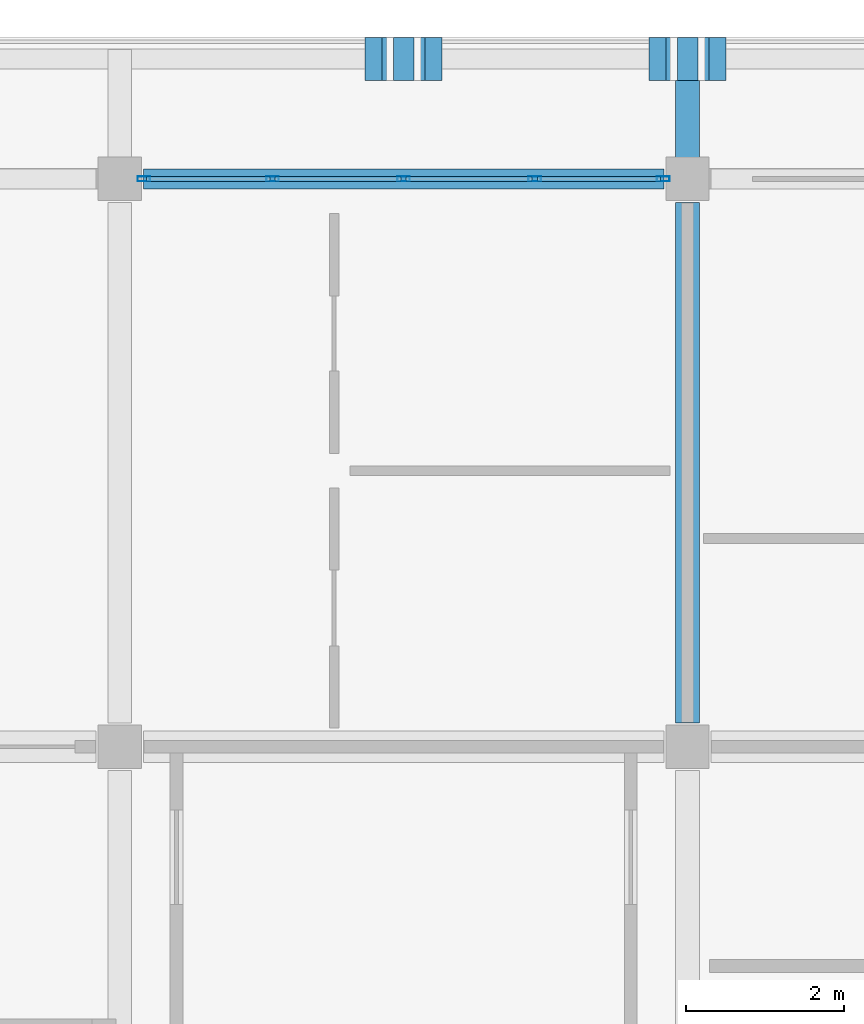
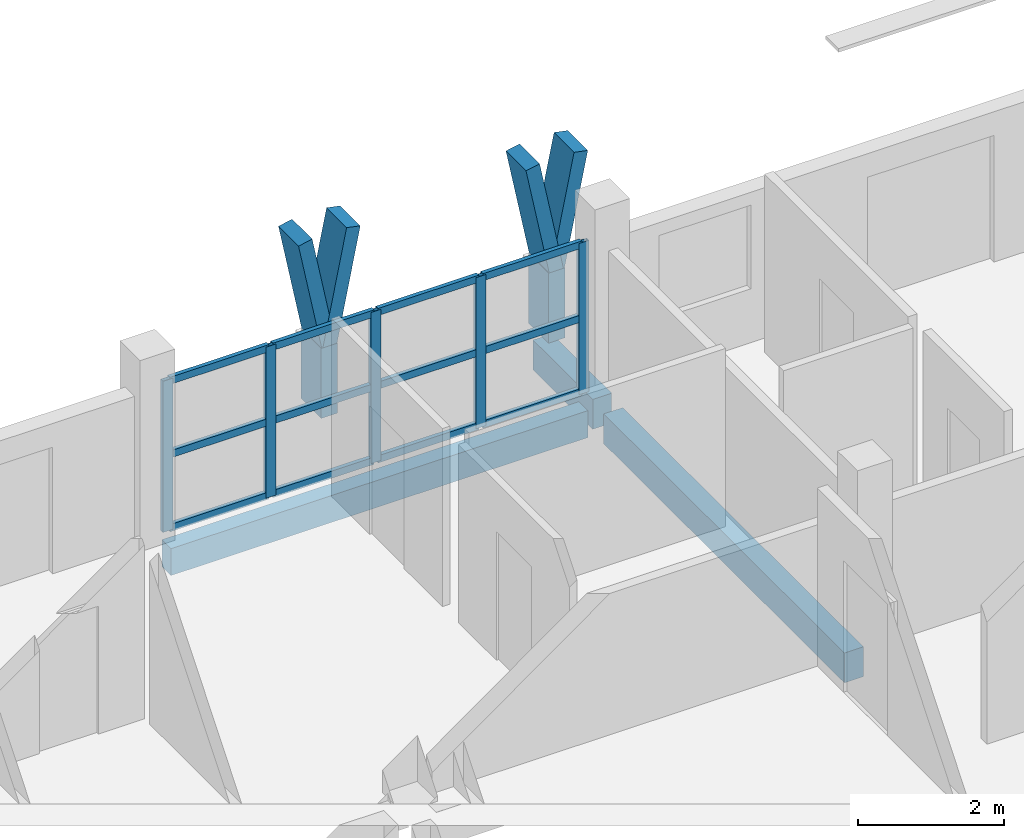
# One storey, part 25 of 73: 23 members, 3 beams, 1 element without a shape of its own.
"""IFC4 building model written with IfcOpenShell, lengths in metres."""

from ifc_helpers import new_model, si_unit, direction, frame, origin, origin_2d, place, context, subcontext, project, spatial, rectangle, hollow_rectangle, extrude, material, material_profile, profile_set, type_object, element, aggregate, save


model = new_model("IFC4")

# Units and contexts
model_context = context("Model", 3, precision=1e-05, world=origin(), true_north=direction((0.0, 1.0)))
body_context = subcontext(model_context, "Body", "Model", "MODEL_VIEW")
ifc_project = project(units=[si_unit("LENGTHUNIT", "METRE"), si_unit("AREAUNIT", "SQUARE_METRE"), si_unit("VOLUMEUNIT", "CUBIC_METRE"), si_unit("PLANEANGLEUNIT", "RADIAN"), si_unit("MASSUNIT", "GRAM", prefix="KILO")], contexts=[model_context])

# Site, building, storey
site_placement = place(None, origin())
site = spatial("IfcSite", under=ifc_project, at=site_placement, CompositionType="ELEMENT")
building_placement = place(site_placement, origin())
building = spatial("IfcBuilding", under=site, at=building_placement, Name="Suanplinth Sawtooth Commons", CompositionType="ELEMENT")
storey_placement = place(building_placement, frame((0.0, 0.0, 21.89990234375)))
storey = spatial("IfcBuildingStorey", under=building, at=storey_placement, Name="L06", CompositionType="ELEMENT", Elevation=21.89990234375)

# Beams
ifc_material_1 = material(Name="Precast concrete C40/50", Category="concrete")
ifc_material_profile_1 = material_profile(ifc_material_1, rectangle(XDim=0.300048828125, YDim=0.5, at=origin_2d()), Name="PC-BM 300x500")
ifc_profile_set_1 = profile_set([ifc_material_profile_1], Name="Precast concrete C40/50")
beam_type_1 = type_object("IfcBeamType", Name="B-07", PredefinedType="BEAM", material=ifc_profile_set_1)
beam_1_placement = place(storey_placement, frame((151.199951171875, 115.5, -0.489990234375), z_axis=(0.0, 1.0, 0.0), x_axis=(-1.0, 0.0, 0.0)))
element("IfcBeam", 1, at=beam_1_placement, inside=storey, type_object=beam_type_1, Name="BMY-L06-B-21-16", PredefinedType="BEAM", context=body_context, shape_type="SweptSolid", body=[
    extrude(rectangle(XDim=0.300048828125, YDim=0.5, at=origin_2d()), origin(), (0.0, 0.0, 1.0), 6.60009765625),
])
beam_2_placement = place(storey_placement, frame((151.199951171875, 122.39990234375, -0.429931640625), z_axis=(0.0, 1.0, 0.0), x_axis=(-1.0, 0.0, 0.0)))
element("IfcBeam", 2, at=beam_2_placement, inside=storey, type_object=beam_type_1, Name="Balcony Outrigger L06-B-N-21", PredefinedType="BEAM", context=body_context, shape_type="SweptSolid", body=[
    extrude(rectangle(XDim=0.300048828125, YDim=0.5, at=origin_2d()), origin(), (0.0, 0.0, 1.0), 1.64013671875),
])
ifc_material_profile_2 = material_profile(ifc_material_1, rectangle(XDim=0.25, YDim=0.449951171875, at=origin_2d()), Name="PC-SP 250x450")
ifc_profile_set_2 = profile_set([ifc_material_profile_2], Name="Precast concrete C40/50")
beam_type_2 = type_object("IfcBeamType", Name="B-09", PredefinedType="SPANDREL", material=ifc_profile_set_2)
beam_3_placement = place(storey_placement, frame((144.300048828125, 122.39990234375, -0.46484375), z_axis=(1.0, 0.0, 0.0), x_axis=(0.0, 1.0, 0.0)))
element("IfcBeam", 3, at=beam_3_placement, inside=storey, type_object=beam_type_2, Name="BMX-L06-B-20-17", PredefinedType="SPANDREL", context=body_context, shape_type="SweptSolid", body=[
    extrude(rectangle(XDim=0.25, YDim=0.449951171875, at=origin_2d()), origin(), (0.0, 0.0, 1.0), 6.599853515625),
])

# Members
ifc_material_2 = material(Name="Pigmented precast concrete C40/50", Category="concrete")
ifc_material_profile_3 = material_profile(ifc_material_2, rectangle(XDim=0.260009765625, YDim=0.550048828125, at=origin_2d()), Name="PC-FIN 260x550")
ifc_profile_set_3 = profile_set([ifc_material_profile_3], Name="Pigmented precast concrete C40/50")
member_type_1 = type_object("IfcMemberType", Name="M-09", PredefinedType="USERDEFINED", material=ifc_profile_set_3)
for number, where, z_axis, x_axis, name in (
    (4, (147.60009765625, 123.919921875, 0.0), (0.0, 0.0, 1.0), (1.0, 0.0, 0.0), "Y-Blade Stem L06-B-N-02"),
    (5, (151.199951171875, 123.919921875, 0.0), (0.0, 0.0, 1.0), (1.0, 0.0, 0.0), "Y-Blade Stem L06-B-N-03"),
):
    element("IfcMember", number, at=place(storey_placement, frame(where, z_axis=z_axis, x_axis=x_axis)), inside=storey, type_object=member_type_1, Name=name, ObjectType="SHADING FIN", PredefinedType="USERDEFINED", context=body_context, shape_type="SweptSolid", body=[
        extrude(rectangle(XDim=0.260009765625, YDim=0.550048828125, at=origin_2d()), origin(), (0.0, 0.0, 1.0), 1.170166015625),
    ])
ifc_material_profile_4 = material_profile(ifc_material_2, rectangle(XDim=0.219970703125, YDim=0.550048828125, at=origin_2d()), Name="PC-FIN 220x550")
ifc_profile_set_4 = profile_set([ifc_material_profile_4], Name="Pigmented precast concrete C40/50")
member_type_2 = type_object("IfcMemberType", Name="M-10", PredefinedType="USERDEFINED", material=ifc_profile_set_4)
member_1_placement = place(storey_placement, frame((147.60009765625, 123.919921875, 1.130126953125), z_axis=(-0.196431120402, 0.0, 0.980517626021), x_axis=(0.980517626021, 0.0, 0.196431120402)))
element("IfcMember", 6, at=member_1_placement, inside=storey, type_object=member_type_2, Name="Y-Blade Arm L L06-B-N-02", ObjectType="SHADING FIN", PredefinedType="USERDEFINED", context=body_context, shape_type="SweptSolid", body=[
    extrude(rectangle(XDim=0.219970703125, YDim=0.550048828125, at=origin_2d()), origin(), (0.0, 0.0, 1.0), 1.937744140625),
])
for number, where, z_axis, x_axis, name in (
    (7, (147.60009765625, 123.919921875, 1.130126953125), (0.196309979414, 0.0, 0.980541886909), (-0.980541886909, 0.0, 0.196309979414), "Y-Blade Arm R L06-B-N-02"),
    (8, (151.199951171875, 123.919921875, 1.130126953125), (-0.196309979414, 0.0, 0.980541886909), (0.980541886909, 0.0, 0.196309979414), "Y-Blade Arm L L06-B-N-03"),
):
    element("IfcMember", number, at=place(storey_placement, frame(where, z_axis=z_axis, x_axis=x_axis)), inside=storey, type_object=member_type_2, Name=name, ObjectType="SHADING FIN", PredefinedType="USERDEFINED", context=body_context, shape_type="SweptSolid", body=[
        extrude(rectangle(XDim=0.219970703125, YDim=0.550048828125, at=origin_2d()), origin(), (0.0, 0.0, 1.0), 1.9375),
    ])
member_2_placement = place(storey_placement, frame((151.199951171875, 123.919921875, 1.130126953125), z_axis=(0.196431120402, 0.0, 0.980517626021), x_axis=(-0.980517626021, 0.0, 0.196431120402)))
element("IfcMember", 9, at=member_2_placement, inside=storey, type_object=member_type_2, Name="Y-Blade Arm R L06-B-N-03", ObjectType="SHADING FIN", PredefinedType="USERDEFINED", context=body_context, shape_type="SweptSolid", body=[
    extrude(rectangle(XDim=0.219970703125, YDim=0.550048828125, at=origin_2d()), origin(), (0.0, 0.0, 1.0), 1.937744140625),
])

# Curtain wall, members
ifc_material_3 = material(Name="Anodized aluminium and low-E glazing", Category="aluminium")
curtain_wall_type = type_object("IfcCurtainWallType", Name="CW-06", PredefinedType="USERDEFINED", material=ifc_material_3)
curtain_wall_placement = place(storey_placement, origin())
curtain_wall = element("IfcCurtainWall", 10, at=curtain_wall_placement, inside=storey, type_object=curtain_wall_type, Name="Curtain Wall CW-L06-B-LOUNGE-20", ObjectType="CURTAIN WALL", PredefinedType="USERDEFINED")
ifc_material_4 = material(Name="Anodized aluminium 6063-T6", Category="aluminium")
ifc_material_profile_5 = material_profile(ifc_material_4, hollow_rectangle(XDim=0.06494140625, YDim=0.159912109375, WallThickness=0.00390625, at=origin_2d()), Name="ALU-MUL 65x160")
ifc_profile_set_5 = profile_set([ifc_material_profile_5], Name="Anodized aluminium 6063-T6")
member_type_3 = type_object("IfcMemberType", Name="M-13", PredefinedType="MULLION", material=ifc_profile_set_5)
member_3_placement = place(storey_placement, frame((144.3076171875, 122.39990234375, 0.0), z_axis=(0.0, 0.0, 1.0), x_axis=(0.0, 1.0, 0.0)))
member_3 = element("IfcMember", 11, at=member_3_placement, type_object=member_type_3, Name="CW-06 mullion 1", PredefinedType="MULLION", context=body_context, shape_type="SweptSolid", body=[
    extrude(hollow_rectangle(XDim=0.06494140625, YDim=0.159912109375, WallThickness=0.00390625, at=origin_2d()), origin(), (0.0, 0.0, 1.0), 2.530029296875),
])
member_4_placement = place(storey_placement, frame((145.9375, 122.39990234375, 0.0), z_axis=(0.0, 0.0, 1.0), x_axis=(0.0, 1.0, 0.0)))
member_4 = element("IfcMember", 12, at=member_4_placement, type_object=member_type_3, Name="CW-06 mullion 2", PredefinedType="MULLION", context=body_context, shape_type="SweptSolid", body=[
    extrude(hollow_rectangle(XDim=0.06494140625, YDim=0.159912109375, WallThickness=0.00390625, at=origin_2d()), origin(), (0.0, 0.0, 1.0), 2.530029296875),
])
member_5_placement = place(storey_placement, frame((147.60009765625, 122.39990234375, 0.0), z_axis=(0.0, 0.0, 1.0), x_axis=(0.0, 1.0, 0.0)))
member_5 = element("IfcMember", 13, at=member_5_placement, type_object=member_type_3, Name="CW-06 mullion 3", PredefinedType="MULLION", context=body_context, shape_type="SweptSolid", body=[
    extrude(hollow_rectangle(XDim=0.06494140625, YDim=0.159912109375, WallThickness=0.00390625, at=origin_2d()), origin(), (0.0, 0.0, 1.0), 2.530029296875),
])
member_6_placement = place(storey_placement, frame((149.262451171875, 122.39990234375, 0.0), z_axis=(0.0, 0.0, 1.0), x_axis=(0.0, 1.0, 0.0)))
member_6 = element("IfcMember", 14, at=member_6_placement, type_object=member_type_3, Name="CW-06 mullion 4", PredefinedType="MULLION", context=body_context, shape_type="SweptSolid", body=[
    extrude(hollow_rectangle(XDim=0.06494140625, YDim=0.159912109375, WallThickness=0.00390625, at=origin_2d()), origin(), (0.0, 0.0, 1.0), 2.530029296875),
])
member_7_placement = place(storey_placement, frame((150.892578125, 122.39990234375, 0.0), z_axis=(0.0, 0.0, 1.0), x_axis=(0.0, 1.0, 0.0)))
member_7 = element("IfcMember", 15, at=member_7_placement, type_object=member_type_3, Name="CW-06 mullion 5", PredefinedType="MULLION", context=body_context, shape_type="SweptSolid", body=[
    extrude(hollow_rectangle(XDim=0.06494140625, YDim=0.159912109375, WallThickness=0.00390625, at=origin_2d()), origin(), (0.0, 0.0, 1.0), 2.530029296875),
])
ifc_material_profile_6 = material_profile(ifc_material_4, hollow_rectangle(XDim=0.06494140625, YDim=0.1201171875, WallThickness=0.00390625, at=origin_2d()), Name="ALU-TRN 65x120")
ifc_profile_set_6 = profile_set([ifc_material_profile_6], Name="Anodized aluminium 6063-T6")
member_type_4 = type_object("IfcMemberType", Name="M-15", PredefinedType="USERDEFINED", material=ifc_profile_set_6)
member_8_placement = place(storey_placement, frame((144.340087890625, 122.39990234375, 0.03271484375), z_axis=(1.0, 0.0, 0.0), x_axis=(0.0, 1.0, 0.0)))
member_8 = element("IfcMember", 16, at=member_8_placement, type_object=member_type_4, Name="CW-06 transom 1.1", ObjectType="TRANSOM", PredefinedType="USERDEFINED", context=body_context, shape_type="SweptSolid", body=[
    extrude(hollow_rectangle(XDim=0.06494140625, YDim=0.1201171875, WallThickness=0.00390625, at=origin_2d()), origin(), (0.0, 0.0, 1.0), 1.56494140625),
])
member_9_placement = place(storey_placement, frame((144.340087890625, 122.39990234375, 1.26513671875), z_axis=(1.0, 0.0, 0.0), x_axis=(0.0, 1.0, 0.0)))
member_9 = element("IfcMember", 17, at=member_9_placement, type_object=member_type_4, Name="CW-06 transom 1.2", ObjectType="TRANSOM", PredefinedType="USERDEFINED", context=body_context, shape_type="SweptSolid", body=[
    extrude(hollow_rectangle(XDim=0.06494140625, YDim=0.1201171875, WallThickness=0.00390625, at=origin_2d()), origin(), (0.0, 0.0, 1.0), 1.56494140625),
])
member_10_placement = place(storey_placement, frame((144.340087890625, 122.39990234375, 2.49755859375), z_axis=(1.0, 0.0, 0.0), x_axis=(0.0, 1.0, 0.0)))
member_10 = element("IfcMember", 18, at=member_10_placement, type_object=member_type_4, Name="CW-06 transom 1.3", ObjectType="TRANSOM", PredefinedType="USERDEFINED", context=body_context, shape_type="SweptSolid", body=[
    extrude(hollow_rectangle(XDim=0.06494140625, YDim=0.1201171875, WallThickness=0.00390625, at=origin_2d()), origin(), (0.0, 0.0, 1.0), 1.56494140625),
])
member_11_placement = place(storey_placement, frame((145.969970703125, 122.39990234375, 0.03271484375), z_axis=(1.0, 0.0, 0.0), x_axis=(0.0, 1.0, 0.0)))
member_11 = element("IfcMember", 19, at=member_11_placement, type_object=member_type_4, Name="CW-06 transom 2.1", ObjectType="TRANSOM", PredefinedType="USERDEFINED", context=body_context, shape_type="SweptSolid", body=[
    extrude(hollow_rectangle(XDim=0.06494140625, YDim=0.1201171875, WallThickness=0.00390625, at=origin_2d()), origin(), (0.0, 0.0, 1.0), 1.597412109375),
])
member_12_placement = place(storey_placement, frame((145.969970703125, 122.39990234375, 1.26513671875), z_axis=(1.0, 0.0, 0.0), x_axis=(0.0, 1.0, 0.0)))
member_12 = element("IfcMember", 20, at=member_12_placement, type_object=member_type_4, Name="CW-06 transom 2.2", ObjectType="TRANSOM", PredefinedType="USERDEFINED", context=body_context, shape_type="SweptSolid", body=[
    extrude(hollow_rectangle(XDim=0.06494140625, YDim=0.1201171875, WallThickness=0.00390625, at=origin_2d()), origin(), (0.0, 0.0, 1.0), 1.597412109375),
])
member_13_placement = place(storey_placement, frame((145.969970703125, 122.39990234375, 2.49755859375), z_axis=(1.0, 0.0, 0.0), x_axis=(0.0, 1.0, 0.0)))
member_13 = element("IfcMember", 21, at=member_13_placement, type_object=member_type_4, Name="CW-06 transom 2.3", ObjectType="TRANSOM", PredefinedType="USERDEFINED", context=body_context, shape_type="SweptSolid", body=[
    extrude(hollow_rectangle(XDim=0.06494140625, YDim=0.1201171875, WallThickness=0.00390625, at=origin_2d()), origin(), (0.0, 0.0, 1.0), 1.597412109375),
])
member_14_placement = place(storey_placement, frame((147.632568359375, 122.39990234375, 0.03271484375), z_axis=(1.0, 0.0, 0.0), x_axis=(0.0, 1.0, 0.0)))
member_14 = element("IfcMember", 22, at=member_14_placement, type_object=member_type_4, Name="CW-06 transom 3.1", ObjectType="TRANSOM", PredefinedType="USERDEFINED", context=body_context, shape_type="SweptSolid", body=[
    extrude(hollow_rectangle(XDim=0.06494140625, YDim=0.1201171875, WallThickness=0.00390625, at=origin_2d()), origin(), (0.0, 0.0, 1.0), 1.597412109375),
])
member_15_placement = place(storey_placement, frame((147.632568359375, 122.39990234375, 1.26513671875), z_axis=(1.0, 0.0, 0.0), x_axis=(0.0, 1.0, 0.0)))
member_15 = element("IfcMember", 23, at=member_15_placement, type_object=member_type_4, Name="CW-06 transom 3.2", ObjectType="TRANSOM", PredefinedType="USERDEFINED", context=body_context, shape_type="SweptSolid", body=[
    extrude(hollow_rectangle(XDim=0.06494140625, YDim=0.1201171875, WallThickness=0.00390625, at=origin_2d()), origin(), (0.0, 0.0, 1.0), 1.597412109375),
])
member_16_placement = place(storey_placement, frame((147.632568359375, 122.39990234375, 2.49755859375), z_axis=(1.0, 0.0, 0.0), x_axis=(0.0, 1.0, 0.0)))
member_16 = element("IfcMember", 24, at=member_16_placement, type_object=member_type_4, Name="CW-06 transom 3.3", ObjectType="TRANSOM", PredefinedType="USERDEFINED", context=body_context, shape_type="SweptSolid", body=[
    extrude(hollow_rectangle(XDim=0.06494140625, YDim=0.1201171875, WallThickness=0.00390625, at=origin_2d()), origin(), (0.0, 0.0, 1.0), 1.597412109375),
])
member_17_placement = place(storey_placement, frame((149.294921875, 122.39990234375, 0.03271484375), z_axis=(1.0, 0.0, 0.0), x_axis=(0.0, 1.0, 0.0)))
member_17 = element("IfcMember", 25, at=member_17_placement, type_object=member_type_4, Name="CW-06 transom 4.1", ObjectType="TRANSOM", PredefinedType="USERDEFINED", context=body_context, shape_type="SweptSolid", body=[
    extrude(hollow_rectangle(XDim=0.06494140625, YDim=0.1201171875, WallThickness=0.00390625, at=origin_2d()), origin(), (0.0, 0.0, 1.0), 1.565185546875),
])
member_18_placement = place(storey_placement, frame((149.294921875, 122.39990234375, 1.26513671875), z_axis=(1.0, 0.0, 0.0), x_axis=(0.0, 1.0, 0.0)))
member_18 = element("IfcMember", 26, at=member_18_placement, type_object=member_type_4, Name="CW-06 transom 4.2", ObjectType="TRANSOM", PredefinedType="USERDEFINED", context=body_context, shape_type="SweptSolid", body=[
    extrude(hollow_rectangle(XDim=0.06494140625, YDim=0.1201171875, WallThickness=0.00390625, at=origin_2d()), origin(), (0.0, 0.0, 1.0), 1.565185546875),
])
member_19_placement = place(storey_placement, frame((149.294921875, 122.39990234375, 2.49755859375), z_axis=(1.0, 0.0, 0.0), x_axis=(0.0, 1.0, 0.0)))
member_19 = element("IfcMember", 27, at=member_19_placement, type_object=member_type_4, Name="CW-06 transom 4.3", ObjectType="TRANSOM", PredefinedType="USERDEFINED", context=body_context, shape_type="SweptSolid", body=[
    extrude(hollow_rectangle(XDim=0.06494140625, YDim=0.1201171875, WallThickness=0.00390625, at=origin_2d()), origin(), (0.0, 0.0, 1.0), 1.565185546875),
])
aggregate(curtain_wall, [member_3, member_4, member_5, member_6, member_7, member_8, member_9, member_10, member_11, member_12, member_13, member_14, member_15, member_16, member_17, member_18, member_19])

save(model, "model.ifc")
